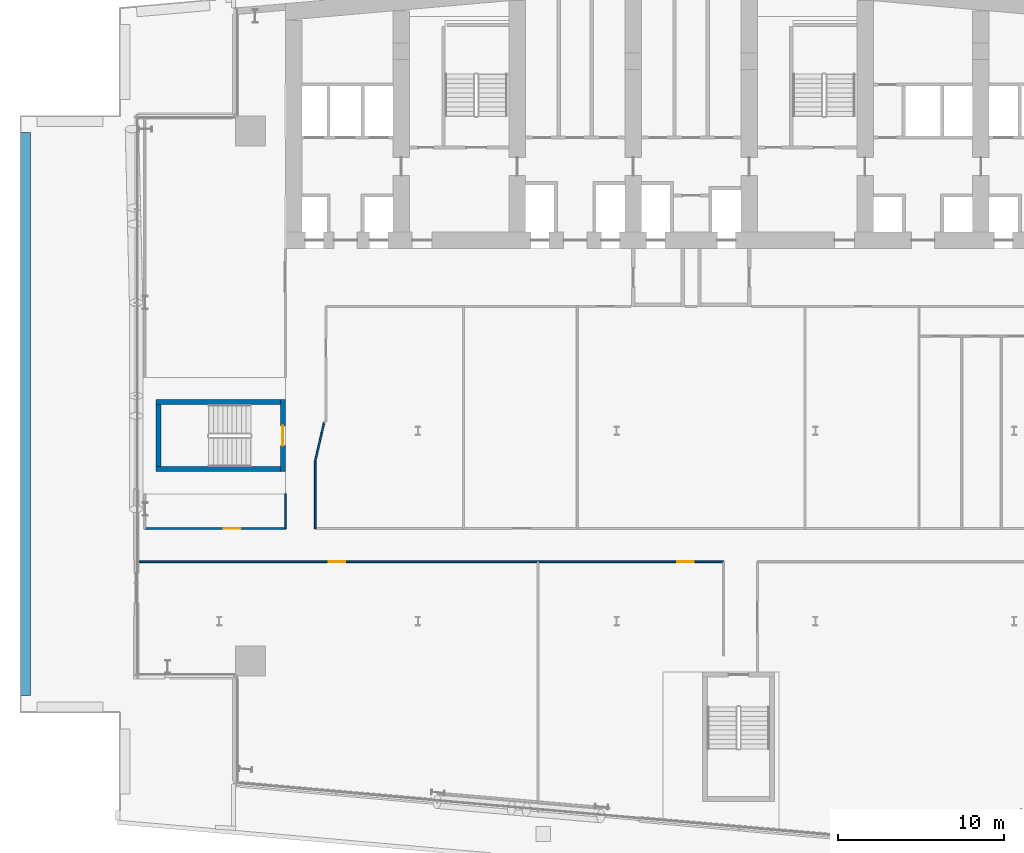
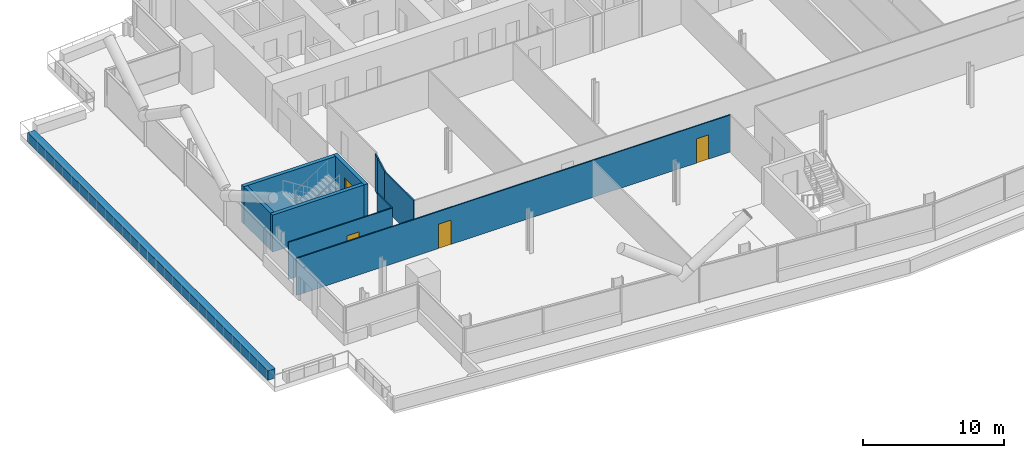
# One storey, part 11 of 26: 11 walls, 4 doors, 4 openings.
"""IFC4 building model written with IfcOpenShell, lengths in metres."""

from ifc_helpers import new_model, si_unit, direction, frame, frame_2d, origin, place, context, subcontext, project, spatial, rectangle, extrude, material, layer, layer_set, type_object, element, fill, save


model = new_model("IFC4")

# Units and contexts
model_context = context("Model", 3, precision=1e-05, world=origin(), true_north=direction((0.0, 1.0)))
body_context = subcontext(model_context, "Body", "Model", "MODEL_VIEW")
ifc_project = project(units=[si_unit("LENGTHUNIT", "METRE"), si_unit("AREAUNIT", "SQUARE_METRE"), si_unit("VOLUMEUNIT", "CUBIC_METRE"), si_unit("PLANEANGLEUNIT", "RADIAN"), si_unit("MASSUNIT", "GRAM", prefix="KILO")], contexts=[model_context])

# Site, building, storey
site_placement = place(None, origin())
site = spatial("IfcSite", under=ifc_project, at=site_placement, CompositionType="ELEMENT")
building_placement = place(site_placement, origin())
building = spatial("IfcBuilding", under=site, at=building_placement, Name="Wharfspan Tower", CompositionType="ELEMENT")
storey_placement = place(building_placement, frame((0.0, 0.0, 96.699951)))
storey = spatial("IfcBuildingStorey", under=building, at=storey_placement, Name="L21", CompositionType="ELEMENT", Elevation=96.699951)

# Wall, openings, doors
ifc_material_1 = material(Name="Gypsum board on steel studs", Category="steel")
ifc_layer_1 = layer(ifc_material_1, 0.100098)
ifc_layer_set_1 = layer_set([ifc_layer_1], Name="Gypsum board on steel studs")
wall_type_1 = type_object("IfcWallType", Name="Compartment wall 100 EI 60", PredefinedType="PARTITIONING", material=ifc_layer_set_1)
wall_1_placement = place(storey_placement, frame((7.02002, 15.090088, 0.0), z_axis=(0.0, 0.0, 1.0), x_axis=(1.0, 0.0, 0.0)))
wall_1 = element("IfcWall", 1, at=wall_1_placement, inside=storey, type_object=wall_type_1, Name="Partition L21.w001", PredefinedType="PARTITIONING", context=body_context, shape_type="SweptSolid", body=[
    extrude(rectangle(XDim=35.439941, YDim=0.100098, at=frame_2d((17.719971, 0.0))), origin(), (0.0, 0.0, 1.0), 3.199951),
])
opening_1_placement = place(wall_1_placement, frame((11.600098, 0.0, 0.0)))
opening_1 = element("IfcOpeningElement", 2, at=opening_1_placement, cuts=wall_1, Name="Opening B1-02", PredefinedType="OPENING", context=body_context, shape_type="SweptSolid", body=[
    extrude(rectangle(XDim=1.0, YDim=2.100098, at=frame_2d((0.5, 1.050049))), frame((0.0, 0.060059, 0.0), z_axis=(0.0, -1.0, 0.0), x_axis=(1.0, 0.0, 0.0)), (0.0, 0.0, 1.0), 0.120117),
])
opening_2_placement = place(wall_1_placement, frame((32.649902, 0.0, 0.0)))
opening_2 = element("IfcOpeningElement", 3, at=opening_2_placement, cuts=wall_1, Name="Opening B1-03", PredefinedType="OPENING", context=body_context, shape_type="SweptSolid", body=[
    extrude(rectangle(XDim=1.0, YDim=2.100098, at=frame_2d((0.5, 1.050049))), frame((0.0, 0.060059, 0.0), z_axis=(0.0, -1.0, 0.0), x_axis=(1.0, 0.0, 0.0)), (0.0, 0.0, 1.0), 0.120117),
])
ifc_material_2 = material(Name="Fire-rated timber door leaf in steel frame", Category="steel")
door_type_1 = type_object("IfcDoorType", Name="Door 1000 FD30S Left", OperationType="SINGLE_SWING_LEFT", PredefinedType="DOOR", material=ifc_material_2)
door_1_placement = place(opening_1_placement, origin())
door_1 = element("IfcDoor", 4, at=door_1_placement, inside=storey, type_object=door_type_1, Name="Door B1-02", OperationType="SINGLE_SWING_LEFT", OverallHeight=2.100098, OverallWidth=1.0, PredefinedType="DOOR", context=body_context, shape_type="SweptSolid", body=[
    extrude(rectangle(XDim=1.0, YDim=2.100098, at=frame_2d((0.5, 1.050049))), frame((0.0, 0.024902, 0.0), z_axis=(0.0, -1.0, 0.0), x_axis=(1.0, 0.0, 0.0)), (0.0, 0.0, 1.0), 0.050049),
])
fill(opening_1, door_1)
door_type_2 = type_object("IfcDoorType", Name="Door 1000 FD30S Right", OperationType="SINGLE_SWING_RIGHT", PredefinedType="DOOR", material=ifc_material_2)
door_2_placement = place(opening_2_placement, origin())
door_2 = element("IfcDoor", 5, at=door_2_placement, inside=storey, type_object=door_type_2, Name="Door B1-03", OperationType="SINGLE_SWING_RIGHT", OverallHeight=2.100098, OverallWidth=1.0, PredefinedType="DOOR", context=body_context, shape_type="SweptSolid", body=[
    extrude(rectangle(XDim=1.0, YDim=2.100098, at=frame_2d((0.5, 1.050049))), frame((0.0, 0.024902, 0.0), z_axis=(0.0, -1.0, 0.0), x_axis=(1.0, 0.0, 0.0)), (0.0, 0.0, 1.0), 0.050049),
])
fill(opening_2, door_2)

# Wall, opening, door
wall_2_placement = place(storey_placement, frame((7.51001, 17.094971, 0.0), z_axis=(0.0, 0.0, 1.0), x_axis=(1.0, 0.0, 0.0)))
wall_2 = element("IfcWall", 6, at=wall_2_placement, inside=storey, type_object=wall_type_1, Name="Partition L21.w003", PredefinedType="PARTITIONING", context=body_context, shape_type="SweptSolid", body=[
    extrude(rectangle(XDim=8.48999, YDim=0.100098, at=frame_2d((4.245117, 0.0))), origin(), (0.0, 0.0, 1.0), 3.199951),
])
opening_3_placement = place(wall_2_placement, frame((4.774902, 0.0, 0.0)))
opening_3 = element("IfcOpeningElement", 7, at=opening_3_placement, cuts=wall_2, Name="Opening B1-05", PredefinedType="OPENING", context=body_context, shape_type="SweptSolid", body=[
    extrude(rectangle(XDim=1.0, YDim=2.100098, at=frame_2d((0.5, 1.050049))), frame((0.0, 0.060059, 0.0), z_axis=(0.0, -1.0, 0.0), x_axis=(1.0, 0.0, 0.0)), (0.0, 0.0, 1.0), 0.120117),
])
door_3_placement = place(opening_3_placement, origin())
door_3 = element("IfcDoor", 8, at=door_3_placement, inside=storey, type_object=door_type_2, Name="Door B1-05", OperationType="SINGLE_SWING_RIGHT", OverallHeight=2.100098, OverallWidth=1.0, PredefinedType="DOOR", context=body_context, shape_type="SweptSolid", body=[
    extrude(rectangle(XDim=1.0, YDim=2.100098, at=frame_2d((0.5, 1.050049))), frame((0.0, 0.024902, 0.0), z_axis=(0.0, -1.0, 0.0), x_axis=(1.0, 0.0, 0.0)), (0.0, 0.0, 1.0), 0.050049),
])
fill(opening_3, door_3)

# Walls
wall_3_placement = place(storey_placement, frame((16.0, 17.094971, 0.0), z_axis=(0.0, 0.0, 1.0), x_axis=(0.0, 1.0, 0.0)))
element("IfcWall", 9, at=wall_3_placement, inside=storey, type_object=wall_type_1, Name="Partition L21.w005", PredefinedType="PARTITIONING", context=body_context, shape_type="SweptSolid", body=[
    extrude(rectangle(XDim=2.084961, YDim=0.100098, at=frame_2d((1.04248, 0.0))), origin(), (0.0, 0.0, 1.0), 3.199951),
])
wall_4_placement = place(storey_placement, frame((17.800049, 17.094971, 0.0), z_axis=(0.0, 0.0, 1.0), x_axis=(0.0, 1.0, 0.0)))
element("IfcWall", 10, at=wall_4_placement, inside=storey, type_object=wall_type_1, Name="Partition L21.w007", PredefinedType="PARTITIONING", context=body_context, shape_type="SweptSolid", body=[
    extrude(rectangle(XDim=4.074951, YDim=0.100098, at=frame_2d((2.037598, 0.0))), origin(), (0.0, 0.0, 1.0), 3.199951),
])
wall_5_placement = place(storey_placement, frame((17.800049, 21.169922, 0.0), z_axis=(0.0, 0.0, 1.0), x_axis=(0.225426, 0.974258, 0.0)))
element("IfcWall", 11, at=wall_5_placement, inside=storey, type_object=wall_type_1, Name="Partition L21.w009", PredefinedType="PARTITIONING", context=body_context, shape_type="SweptSolid", body=[
    extrude(rectangle(XDim=1.729492, YDim=0.100098, at=frame_2d((0.864746, 0.0))), origin(), (0.0, 0.0, 1.0), 3.199951),
])
wall_6_placement = place(storey_placement, frame((18.189941, 22.85498, 0.0), z_axis=(0.0, 0.0, 1.0), x_axis=(0.228356, 0.973576, 0.0)))
element("IfcWall", 12, at=wall_6_placement, inside=storey, type_object=wall_type_1, Name="Partition L21.w010", PredefinedType="PARTITIONING", context=body_context, shape_type="SweptSolid", body=[
    extrude(rectangle(XDim=0.657471, YDim=0.100098, at=frame_2d((0.328613, 0.0))), origin(), (0.0, 0.0, 1.0), 3.199951),
])
ifc_material_3 = material(Name="Concrete C40/50", Category="concrete")
ifc_layer_2 = layer(ifc_material_3, 0.600098)
ifc_layer_set_2 = layer_set([ifc_layer_2], Name="Concrete C40/50")
wall_type_2 = type_object("IfcWallType", Name="PLANTER CONCRETE 600", PredefinedType="SOLIDWALL", material=ifc_layer_set_2)
wall_7_placement = place(storey_placement, frame((0.320068, 7.0, 0.0), z_axis=(0.0, 0.0, 1.0), x_axis=(0.0, 1.0, 0.0)))
element("IfcWall", 13, at=wall_7_placement, inside=storey, type_object=wall_type_2, Name="Planter", PredefinedType="SOLIDWALL", context=body_context, shape_type="SweptSolid", body=[
    extrude(rectangle(XDim=34.0, YDim=0.600098, at=frame_2d((17.0, 0.0))), origin(), (0.0, 0.0, 1.0), 0.800049),
])

# Wall, opening, door
ifc_layer_3 = layer(ifc_material_3, 0.300049)
ifc_layer_set_3 = layer_set([ifc_layer_3], Name="Concrete C40/50")
wall_type_3 = type_object("IfcWallType", Name="Stair core wall 300", PredefinedType="SHEAR", material=ifc_layer_set_3)
wall_8_placement = place(storey_placement, frame((15.850098, 20.524902, 0.0), z_axis=(0.0, 0.0, 1.0), x_axis=(0.0, 1.0, 0.0)))
wall_8 = element("IfcWall", 14, at=wall_8_placement, inside=storey, type_object=wall_type_3, Name="ST3 stair enclosure wall L21", PredefinedType="SHEAR", context=body_context, shape_type="SweptSolid", body=[
    extrude(rectangle(XDim=4.350098, YDim=0.300049, at=frame_2d((2.175049, 0.0))), origin(), (0.0, 0.0, 1.0), 3.199951),
])
opening_4_placement = place(wall_8_placement, frame((1.574951, 0.0, 0.0)))
opening_4 = element("IfcOpeningElement", 15, at=opening_4_placement, cuts=wall_8, Name="Opening SD3.L21", PredefinedType="OPENING", context=body_context, shape_type="SweptSolid", body=[
    extrude(rectangle(XDim=1.199951, YDim=2.100098, at=frame_2d((0.600098, 1.050049))), frame((0.0, 0.159912, 0.0), z_axis=(0.0, -1.0, 0.0), x_axis=(1.0, 0.0, 0.0)), (0.0, 0.0, 1.0), 0.320068),
])
ifc_material_4 = material(Name="Steel door leaf", Category="steel")
door_type_3 = type_object("IfcDoorType", Name="Stair door 1200x2100", OperationType="SINGLE_SWING_LEFT", PredefinedType="DOOR", material=ifc_material_4)
door_4_placement = place(opening_4_placement, origin())
door_4 = element("IfcDoor", 16, at=door_4_placement, inside=storey, type_object=door_type_3, Name="sd:L21:ST3z2", OperationType="SINGLE_SWING_RIGHT", OverallHeight=2.100098, OverallWidth=1.199951, PredefinedType="DOOR", context=body_context, shape_type="SweptSolid", body=[
    extrude(rectangle(XDim=1.199951, YDim=2.100098, at=frame_2d((0.600098, 1.050049))), frame((0.0, 0.024902, 0.0), z_axis=(0.0, -1.0, 0.0), x_axis=(1.0, 0.0, 0.0)), (0.0, 0.0, 1.0), 0.050049),
])
fill(opening_4, door_4)

# Walls
for number, where, z_axis, x_axis, name in (
    (17, (8.199951, 20.675049, 0.0), (0.0, 0.0, 1.0), (1.0, 0.0, 0.0), "ST3 stair enclosure wall L21"),
    (18, (8.199951, 24.725098, 0.0), (0.0, 0.0, 1.0), (1.0, 0.0, 0.0), "ST3 stair enclosure wall L21"),
):
    element("IfcWall", number, at=place(storey_placement, frame(where, z_axis=z_axis, x_axis=x_axis)), inside=storey, type_object=wall_type_3, Name=name, PredefinedType="SHEAR", context=body_context, shape_type="SweptSolid", body=[
        extrude(rectangle(XDim=7.5, YDim=0.300049, at=frame_2d((3.75, 0.0))), origin(), (0.0, 0.0, 1.0), 3.199951),
    ])
wall_9_placement = place(storey_placement, frame((8.350098, 20.824951, 0.0), z_axis=(0.0, 0.0, 1.0), x_axis=(0.0, 1.0, 0.0)))
element("IfcWall", 19, at=wall_9_placement, inside=storey, type_object=wall_type_3, Name="ST3 stair enclosure wall L21", PredefinedType="SHEAR", context=body_context, shape_type="SweptSolid", body=[
    extrude(rectangle(XDim=3.75, YDim=0.300049, at=frame_2d((1.875, 0.0))), origin(), (0.0, 0.0, 1.0), 3.199951),
])

save(model, "model.ifc")
